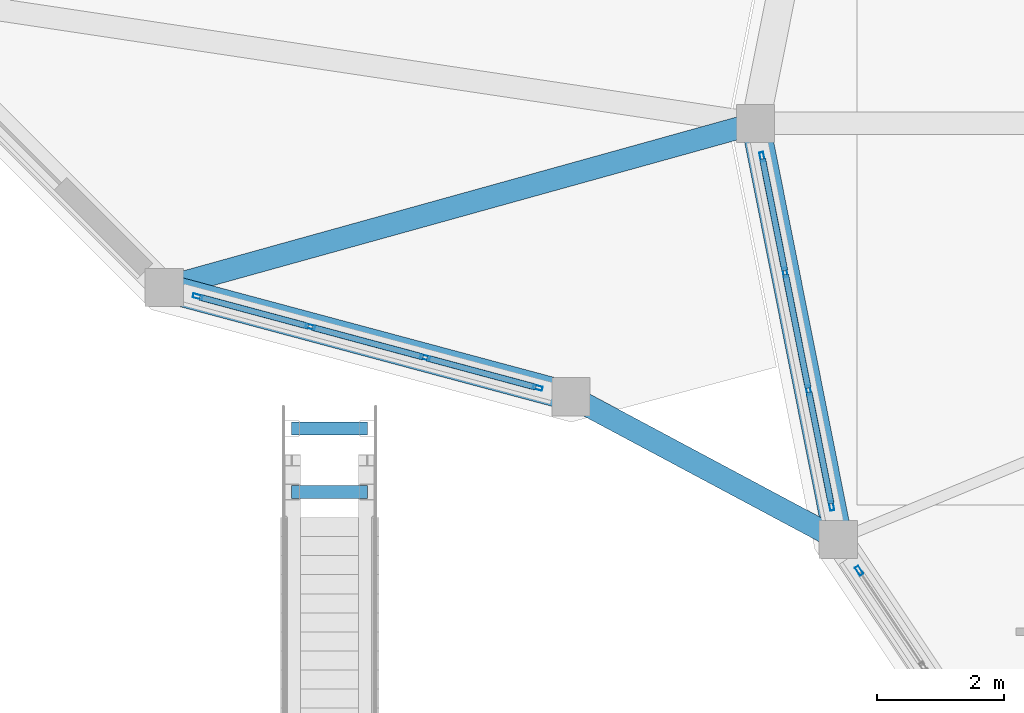
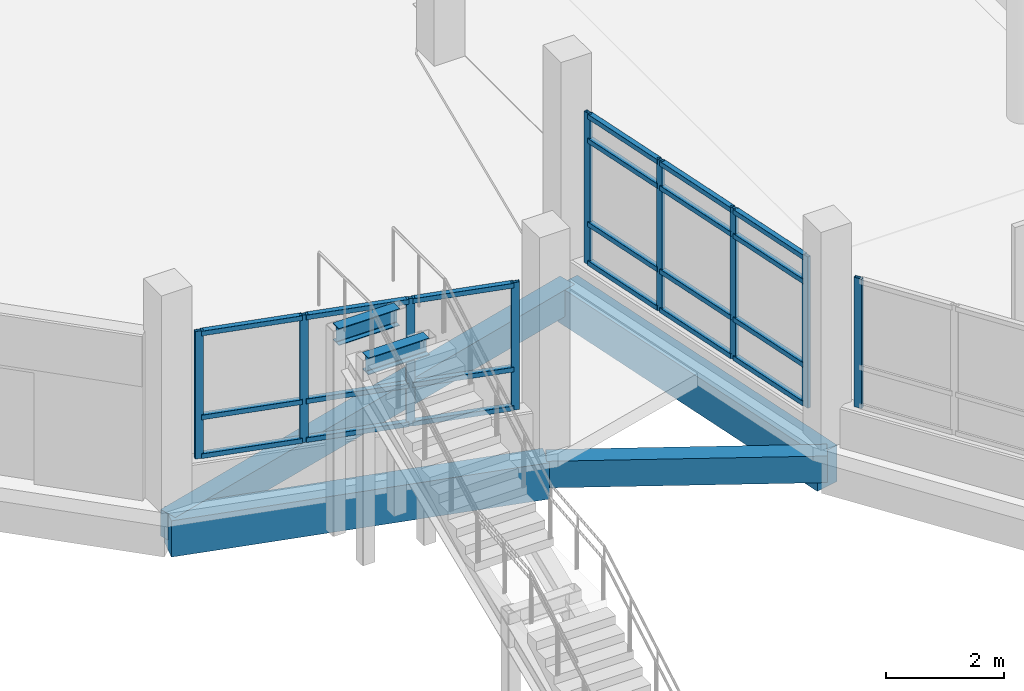
# One storey, part 38 of 129: 30 members, 6 beams, 3 elements without a shape of their own.
"""IFC4 building model written with IfcOpenShell, lengths in metres."""

from ifc_helpers import new_model, si_unit, direction, frame, origin, origin_2d, place, context, subcontext, project, spatial, rectangle, hollow_rectangle, i_section, extrude, material, layer, layer_set, material_profile, profile_set, type_object, element, aggregate, save


model = new_model("IFC4")

# Units and contexts
model_context = context("Model", 3, precision=1e-05, world=origin(), true_north=direction((0.0, 1.0)))
body_context = subcontext(model_context, "Body", "Model", "MODEL_VIEW")
ifc_project = project(units=[si_unit("LENGTHUNIT", "METRE"), si_unit("AREAUNIT", "SQUARE_METRE"), si_unit("VOLUMEUNIT", "CUBIC_METRE"), si_unit("PLANEANGLEUNIT", "RADIAN"), si_unit("MASSUNIT", "GRAM", prefix="KILO")], contexts=[model_context])

# Site, building, storey
site_placement = place(None, origin())
site = spatial("IfcSite", under=ifc_project, at=site_placement, CompositionType="ELEMENT")
building_placement = place(site_placement, origin())
building = spatial("IfcBuilding", under=site, at=building_placement, Name="Vespera Passage Community Centre", CompositionType="ELEMENT")
storey_placement = place(building_placement, origin())
storey = spatial("IfcBuildingStorey", under=building, at=storey_placement, Name="L00", CompositionType="ELEMENT", Elevation=0.0)

# Beams
ifc_material_1 = material(Name="Concrete f'c 35 MPa", Category="concrete")
ifc_material_profile_1 = material_profile(ifc_material_1, rectangle(XDim=0.35009765625, YDim=0.550048828125, at=origin_2d()), Name="RC350X550")
ifc_profile_set_1 = profile_set([ifc_material_profile_1], Name="Concrete f'c 35 MPa")
beam_type_1 = type_object("IfcBeamType", Name="BM-J-350X550", PredefinedType="JOIST", material=ifc_profile_set_1)
beam_1_placement = place(storey_placement, frame((114.60009765625, 22.414794921875, -0.554931640625), z_axis=(0.963466435857, 0.267829100317, 0.0), x_axis=(-0.267829100317, 0.963466435857, 0.0)))
element("IfcBeam", 1, at=beam_1_placement, inside=storey, type_object=beam_type_1, Name="V3A L00 Radial Tie Girder 7", PredefinedType="JOIST", context=body_context, shape_type="SweptSolid", body=[
    extrude(rectangle(XDim=0.35009765625, YDim=0.550048828125, at=origin_2d()), origin(), (0.0, 0.0, 1.0), 9.65234375),
])
beam_2_placement = place(storey_placement, frame((121.0, 20.699951171875, -0.554931640625), z_axis=(0.882090324018, -0.471080311915, 0.0), x_axis=(0.471080311915, 0.882090324018, 0.0)))
element("IfcBeam", 2, at=beam_2_placement, inside=storey, type_object=beam_type_1, Name="V3A L00 Radial Tie Girder 8", PredefinedType="JOIST", context=body_context, shape_type="SweptSolid", body=[
    extrude(rectangle(XDim=0.35009765625, YDim=0.550048828125, at=origin_2d()), origin(), (0.0, 0.0, 1.0), 4.76318359375),
])
ifc_material_2 = material(Name="Concrete f'c 35 MPa", Category="concrete")
ifc_material_profile_2 = material_profile(ifc_material_2, rectangle(XDim=0.449951171875, YDim=0.75, at=origin_2d()), Name="RC450X750")
ifc_profile_set_2 = profile_set([ifc_material_profile_2], Name="Concrete f'c 35 MPa")
beam_type_2 = type_object("IfcBeamType", Name="BM-SP-450X750E", PredefinedType="SPANDREL", material=ifc_profile_set_2)
beam_3_placement = place(storey_placement, frame((123.89990234375, 25.0, -0.655029296875), z_axis=(0.195102743632, -0.980782809509, 0.0), x_axis=(0.980782809509, 0.195102743632, 0.0)))
element("IfcBeam", 3, at=beam_3_placement, inside=storey, type_object=beam_type_2, Name="V3 L00 Spandrel 9", PredefinedType="SPANDREL", context=body_context, shape_type="SweptSolid", body=[
    extrude(rectangle(XDim=0.449951171875, YDim=0.75, at=origin_2d()), origin(), (0.0, 0.0, 1.0), 6.672119140625),
])
beam_4_placement = place(storey_placement, frame((114.60009765625, 22.414794921875, -0.655029296875), z_axis=(0.965926011729, -0.258818353032, 0.0), x_axis=(0.258818353032, 0.965926011729, 0.0)))
element("IfcBeam", 4, at=beam_4_placement, inside=storey, type_object=beam_type_2, Name="V3A L00 Cafe Spandrel 7", PredefinedType="SPANDREL", context=body_context, shape_type="SweptSolid", body=[
    extrude(rectangle(XDim=0.449951171875, YDim=0.75, at=origin_2d()), origin(), (0.0, 0.0, 1.0), 6.625732421875),
])
ifc_material_3 = material(Name="Steel ASTM A992 Grade 50", Category="steel")
ifc_material_profile_3 = material_profile(ifc_material_3, i_section(OverallWidth=0.2041015625, OverallDepth=0.3505859375, WebThickness=0.008544921875, FlangeThickness=0.01513671875, FilletRadius=0.01513671875, at=origin_2d()), Name="W14X48")
ifc_profile_set_3 = profile_set([ifc_material_profile_3], Name="Steel ASTM A992 Grade 50")
beam_type_3 = type_object("IfcBeamType", Name="BM-STR-W14X48E", PredefinedType="BEAM", material=ifc_profile_set_3)
for number, where, z_axis, x_axis, name in (
    (5, (117.794921875, 19.199951171875, 4.06494140625), (-1.0, 0.0, 0.0), (0.0, -1.0, 0.0), "ST-CRT-05 T Header"),
    (6, (117.794921875, 20.199951171875, 4.06494140625), (-1.0, 0.0, 0.0), (0.0, -1.0, 0.0), "ST-CRT-05 TF Header"),
):
    element("IfcBeam", number, at=place(storey_placement, frame(where, z_axis=z_axis, x_axis=x_axis)), inside=storey, type_object=beam_type_3, Name=name, PredefinedType="BEAM", context=body_context, shape_type="SweptSolid", body=[
        extrude(i_section(OverallWidth=0.2041015625, OverallDepth=0.3505859375, WebThickness=0.008544921875, FlangeThickness=0.01513671875, FilletRadius=0.01513671875, at=origin_2d()), origin(), (0.0, 0.0, 1.0), 1.18994140625),
    ])

# Curtain wall, members
ifc_material_4 = material(Name="Anodized aluminium 6063-T6", Category="aluminium")
ifc_layer_1 = layer(ifc_material_4, 0.159912109375)
ifc_layer_set_1 = layer_set([ifc_layer_1], Name="Anodized aluminium 6063-T6")
curtain_wall_type_1 = type_object("IfcCurtainWallType", Name="CW-103E", PredefinedType="NOTDEFINED", material=ifc_layer_set_1)
curtain_wall_1_placement = place(storey_placement, origin())
curtain_wall_1 = element("IfcCurtainWall", 7, at=curtain_wall_1_placement, inside=storey, type_object=curtain_wall_type_1, Name="Dining Drum Ribbon Curtain Wall L00.9", PredefinedType="NOTDEFINED")
ifc_material_5 = material(Name="Anodized aluminium 6063-T6", Category="aluminium")
ifc_material_profile_4 = material_profile(ifc_material_5, hollow_rectangle(XDim=0.06494140625, YDim=0.14990234375, WallThickness=0.00390625, InnerFilletRadius=0.001953125, OuterFilletRadius=0.00390625, at=origin_2d()), Name="ALU150X65X4")
ifc_profile_set_4 = profile_set([ifc_material_profile_4], Name="Anodized aluminium 6063-T6")
member_type_1 = type_object("IfcMemberType", Name="MB-CWM-150E", PredefinedType="MULLION", material=ifc_profile_set_4)
member_1_placement = place(storey_placement, frame((125.0966796875, 18.984130859375, 0.35009765625), z_axis=(0.0, 0.0, 1.0), x_axis=(-0.980783996069, -0.195096778691, 0.0)))
member_1 = element("IfcMember", 8, at=member_1_placement, type_object=member_type_1, Name="CW-103E mullion 1", PredefinedType="MULLION", context=body_context, shape_type="SweptSolid", body=[
    extrude(hollow_rectangle(XDim=0.06494140625, YDim=0.14990234375, WallThickness=0.00390625, InnerFilletRadius=0.001953125, OuterFilletRadius=0.00390625, at=origin_2d()), origin(), (0.0, 0.0, 1.0), 3.125),
])
member_2_placement = place(storey_placement, frame((124.73486328125, 20.802734375, 0.35009765625), z_axis=(0.0, 0.0, 1.0), x_axis=(-0.980783996069, -0.195096778691, 0.0)))
member_2 = element("IfcMember", 9, at=member_2_placement, type_object=member_type_1, Name="CW-103E mullion 2", PredefinedType="MULLION", context=body_context, shape_type="SweptSolid", body=[
    extrude(hollow_rectangle(XDim=0.06494140625, YDim=0.14990234375, WallThickness=0.00390625, InnerFilletRadius=0.001953125, OuterFilletRadius=0.00390625, at=origin_2d()), origin(), (0.0, 0.0, 1.0), 3.125),
])
member_3_placement = place(storey_placement, frame((124.36669921875, 22.6533203125, 0.35009765625), z_axis=(0.0, 0.0, 1.0), x_axis=(-0.980783996069, -0.195096778691, 0.0)))
member_3 = element("IfcMember", 10, at=member_3_placement, type_object=member_type_1, Name="CW-103E mullion 3", PredefinedType="MULLION", context=body_context, shape_type="SweptSolid", body=[
    extrude(hollow_rectangle(XDim=0.06494140625, YDim=0.14990234375, WallThickness=0.00390625, InnerFilletRadius=0.001953125, OuterFilletRadius=0.00390625, at=origin_2d()), origin(), (0.0, 0.0, 1.0), 3.125),
])
member_4_placement = place(storey_placement, frame((124.005126953125, 24.471923828125, 0.35009765625), z_axis=(0.0, 0.0, 1.0), x_axis=(-0.980783996069, -0.195096778691, 0.0)))
member_4 = element("IfcMember", 11, at=member_4_placement, type_object=member_type_1, Name="CW-103E mullion 4", PredefinedType="MULLION", context=body_context, shape_type="SweptSolid", body=[
    extrude(hollow_rectangle(XDim=0.06494140625, YDim=0.14990234375, WallThickness=0.00390625, InnerFilletRadius=0.001953125, OuterFilletRadius=0.00390625, at=origin_2d()), origin(), (0.0, 0.0, 1.0), 3.125),
])

# Curtain wall, member
ifc_material_6 = material(Name="Anodized aluminium 6063-T6", Category="aluminium")
ifc_layer_2 = layer(ifc_material_6, 0.159912109375)
ifc_layer_set_2 = layer_set([ifc_layer_2], Name="Anodized aluminium 6063-T6")
curtain_wall_type_2 = type_object("IfcCurtainWallType", Name="CW-102E", PredefinedType="NOTDEFINED", material=ifc_layer_set_2)
curtain_wall_2_placement = place(storey_placement, origin())
curtain_wall_2 = element("IfcCurtainWall", 12, at=curtain_wall_2_placement, inside=storey, type_object=curtain_wall_type_2, Name="Dining Drum Ribbon Curtain Wall L00.10", PredefinedType="NOTDEFINED")
member_5_placement = place(storey_placement, frame((125.53125, 17.962890625, 0.800048828125), z_axis=(0.0, 0.0, 1.0), x_axis=(-0.831473308708, -0.555564700918, 0.0)))
member_5 = element("IfcMember", 13, at=member_5_placement, type_object=member_type_1, Name="CW-102E mullion 4", PredefinedType="MULLION", context=body_context, shape_type="SweptSolid", body=[
    extrude(hollow_rectangle(XDim=0.06494140625, YDim=0.14990234375, WallThickness=0.00390625, InnerFilletRadius=0.001953125, OuterFilletRadius=0.00390625, at=origin_2d()), origin(), (0.0, 0.0, 1.0), 2.675048828125),
])
aggregate(curtain_wall_2, [member_5])

# Curtain wall, members
ifc_material_7 = material(Name="Anodized aluminium 6063-T6", Category="aluminium")
ifc_layer_3 = layer(ifc_material_7, 0.159912109375)
ifc_layer_set_3 = layer_set([ifc_layer_3], Name="Anodized aluminium 6063-T6")
curtain_wall_type_3 = type_object("IfcCurtainWallType", Name="CW-112E", PredefinedType="NOTDEFINED", material=ifc_layer_set_3)
curtain_wall_3_placement = place(storey_placement, origin())
curtain_wall_3 = element("IfcCurtainWall", 14, at=curtain_wall_3_placement, inside=storey, type_object=curtain_wall_type_3, Name="Passage Espresso Cafe Ribbon Curtain Wall 9", PredefinedType="NOTDEFINED")
member_6_placement = place(storey_placement, frame((120.475341796875, 20.840576171875, 0.780029296875), z_axis=(0.0, 0.0, 1.0), x_axis=(-0.258807433834, -0.965928937444, 0.0)))
member_6 = element("IfcMember", 15, at=member_6_placement, type_object=member_type_1, Name="CW-112E mullion 1", PredefinedType="MULLION", context=body_context, shape_type="SweptSolid", body=[
    extrude(hollow_rectangle(XDim=0.06494140625, YDim=0.14990234375, WallThickness=0.00390625, InnerFilletRadius=0.001953125, OuterFilletRadius=0.00390625, at=origin_2d()), origin(), (0.0, 0.0, 1.0), 2.635009765625),
])
member_7_placement = place(storey_placement, frame((118.7021484375, 21.315673828125, 0.780029296875), z_axis=(0.0, 0.0, 1.0), x_axis=(-0.258807433834, -0.965928937444, 0.0)))
member_7 = element("IfcMember", 16, at=member_7_placement, type_object=member_type_1, Name="CW-112E mullion 2", PredefinedType="MULLION", context=body_context, shape_type="SweptSolid", body=[
    extrude(hollow_rectangle(XDim=0.06494140625, YDim=0.14990234375, WallThickness=0.00390625, InnerFilletRadius=0.001953125, OuterFilletRadius=0.00390625, at=origin_2d()), origin(), (0.0, 0.0, 1.0), 2.635009765625),
])
member_8_placement = place(storey_placement, frame((116.897705078125, 21.79931640625, 0.780029296875), z_axis=(0.0, 0.0, 1.0), x_axis=(-0.258807433834, -0.965928937444, 0.0)))
member_8 = element("IfcMember", 17, at=member_8_placement, type_object=member_type_1, Name="CW-112E mullion 3", PredefinedType="MULLION", context=body_context, shape_type="SweptSolid", body=[
    extrude(hollow_rectangle(XDim=0.06494140625, YDim=0.14990234375, WallThickness=0.00390625, InnerFilletRadius=0.001953125, OuterFilletRadius=0.00390625, at=origin_2d()), origin(), (0.0, 0.0, 1.0), 2.635009765625),
])
member_9_placement = place(storey_placement, frame((115.12451171875, 22.274169921875, 0.780029296875), z_axis=(0.0, 0.0, 1.0), x_axis=(-0.258807433834, -0.965928937444, 0.0)))
member_9 = element("IfcMember", 18, at=member_9_placement, type_object=member_type_1, Name="CW-112E mullion 4", PredefinedType="MULLION", context=body_context, shape_type="SweptSolid", body=[
    extrude(hollow_rectangle(XDim=0.06494140625, YDim=0.14990234375, WallThickness=0.00390625, InnerFilletRadius=0.001953125, OuterFilletRadius=0.00390625, at=origin_2d()), origin(), (0.0, 0.0, 1.0), 2.635009765625),
])

# Member
ifc_material_8 = material(Name="Anodized aluminium 6063-T6", Category="aluminium")
ifc_material_profile_5 = material_profile(ifc_material_8, hollow_rectangle(XDim=0.10009765625, YDim=0.10009765625, WallThickness=0.00390625, InnerFilletRadius=0.001953125, OuterFilletRadius=0.00390625, at=origin_2d()), Name="ALU100X100X4")
ifc_profile_set_5 = profile_set([ifc_material_profile_5], Name="Anodized aluminium 6063-T6")
member_type_2 = type_object("IfcMemberType", Name="MB-CWT-100E", PredefinedType="USERDEFINED", material=ifc_profile_set_5)
member_10_placement = place(storey_placement, frame((125.09033203125, 19.01611328125, 0.39990234375), z_axis=(-0.195118922523, 0.980779590975, 0.0), x_axis=(-0.980779590975, -0.195118922523, 0.0)))
member_10 = element("IfcMember", 19, at=member_10_placement, type_object=member_type_2, Name="CW-103E transom 1.1", ObjectType="TRANSOM", PredefinedType="USERDEFINED", context=body_context, shape_type="SweptSolid", body=[
    extrude(hollow_rectangle(XDim=0.10009765625, YDim=0.10009765625, WallThickness=0.00390625, InnerFilletRadius=0.001953125, OuterFilletRadius=0.00390625, at=origin_2d()), origin(), (0.0, 0.0, 1.0), 1.789306640625),
])

member_11_placement = place(storey_placement, frame((125.09033203125, 19.01611328125, 1.199951171875), z_axis=(-0.195118922523, 0.980779590975, 0.0), x_axis=(-0.980779590975, -0.195118922523, 0.0)))
member_11 = element("IfcMember", 20, at=member_11_placement, type_object=member_type_2, Name="CW-103E transom 1.2", ObjectType="TRANSOM", PredefinedType="USERDEFINED", context=body_context, shape_type="SweptSolid", body=[
    extrude(hollow_rectangle(XDim=0.10009765625, YDim=0.10009765625, WallThickness=0.00390625, InnerFilletRadius=0.001953125, OuterFilletRadius=0.00390625, at=origin_2d()), origin(), (0.0, 0.0, 1.0), 1.789306640625),
])

member_12_placement = place(storey_placement, frame((125.09033203125, 19.01611328125, 2.925048828125), z_axis=(-0.195118922523, 0.980779590975, 0.0), x_axis=(-0.980779590975, -0.195118922523, 0.0)))
member_12 = element("IfcMember", 21, at=member_12_placement, type_object=member_type_2, Name="CW-103E transom 1.3", ObjectType="TRANSOM", PredefinedType="USERDEFINED", context=body_context, shape_type="SweptSolid", body=[
    extrude(hollow_rectangle(XDim=0.10009765625, YDim=0.10009765625, WallThickness=0.00390625, InnerFilletRadius=0.001953125, OuterFilletRadius=0.00390625, at=origin_2d()), origin(), (0.0, 0.0, 1.0), 1.789306640625),
])

member_13_placement = place(storey_placement, frame((125.09033203125, 19.01611328125, 3.425048828125), z_axis=(-0.195118922523, 0.980779590975, 0.0), x_axis=(-0.980779590975, -0.195118922523, 0.0)))
member_13 = element("IfcMember", 22, at=member_13_placement, type_object=member_type_2, Name="CW-103E transom 1.4", ObjectType="TRANSOM", PredefinedType="USERDEFINED", context=body_context, shape_type="SweptSolid", body=[
    extrude(hollow_rectangle(XDim=0.10009765625, YDim=0.10009765625, WallThickness=0.00390625, InnerFilletRadius=0.001953125, OuterFilletRadius=0.00390625, at=origin_2d()), origin(), (0.0, 0.0, 1.0), 1.789306640625),
])

member_14_placement = place(storey_placement, frame((124.728515625, 20.834716796875, 0.39990234375), z_axis=(-0.195136642714, 0.980776065507, 0.0), x_axis=(-0.980776065507, -0.195136642714, 0.0)))
member_14 = element("IfcMember", 23, at=member_14_placement, type_object=member_type_2, Name="CW-103E transom 2.1", ObjectType="TRANSOM", PredefinedType="USERDEFINED", context=body_context, shape_type="SweptSolid", body=[
    extrude(hollow_rectangle(XDim=0.10009765625, YDim=0.10009765625, WallThickness=0.00390625, InnerFilletRadius=0.001953125, OuterFilletRadius=0.00390625, at=origin_2d()), origin(), (0.0, 0.0, 1.0), 1.821533203125),
])

member_15_placement = place(storey_placement, frame((124.728515625, 20.834716796875, 1.199951171875), z_axis=(-0.195136642714, 0.980776065507, 0.0), x_axis=(-0.980776065507, -0.195136642714, 0.0)))
member_15 = element("IfcMember", 24, at=member_15_placement, type_object=member_type_2, Name="CW-103E transom 2.2", ObjectType="TRANSOM", PredefinedType="USERDEFINED", context=body_context, shape_type="SweptSolid", body=[
    extrude(hollow_rectangle(XDim=0.10009765625, YDim=0.10009765625, WallThickness=0.00390625, InnerFilletRadius=0.001953125, OuterFilletRadius=0.00390625, at=origin_2d()), origin(), (0.0, 0.0, 1.0), 1.821533203125),
])

member_16_placement = place(storey_placement, frame((124.728515625, 20.834716796875, 2.925048828125), z_axis=(-0.195136642714, 0.980776065507, 0.0), x_axis=(-0.980776065507, -0.195136642714, 0.0)))
member_16 = element("IfcMember", 25, at=member_16_placement, type_object=member_type_2, Name="CW-103E transom 2.3", ObjectType="TRANSOM", PredefinedType="USERDEFINED", context=body_context, shape_type="SweptSolid", body=[
    extrude(hollow_rectangle(XDim=0.10009765625, YDim=0.10009765625, WallThickness=0.00390625, InnerFilletRadius=0.001953125, OuterFilletRadius=0.00390625, at=origin_2d()), origin(), (0.0, 0.0, 1.0), 1.821533203125),
])

member_17_placement = place(storey_placement, frame((124.728515625, 20.834716796875, 3.425048828125), z_axis=(-0.195136642714, 0.980776065507, 0.0), x_axis=(-0.980776065507, -0.195136642714, 0.0)))
member_17 = element("IfcMember", 26, at=member_17_placement, type_object=member_type_2, Name="CW-103E transom 2.4", ObjectType="TRANSOM", PredefinedType="USERDEFINED", context=body_context, shape_type="SweptSolid", body=[
    extrude(hollow_rectangle(XDim=0.10009765625, YDim=0.10009765625, WallThickness=0.00390625, InnerFilletRadius=0.001953125, OuterFilletRadius=0.00390625, at=origin_2d()), origin(), (0.0, 0.0, 1.0), 1.821533203125),
])

member_18_placement = place(storey_placement, frame((124.3603515625, 22.68505859375, 0.39990234375), z_axis=(-0.194987665203, 0.980805694528, 0.0), x_axis=(-0.980805694528, -0.194987665203, 0.0)))
member_18 = element("IfcMember", 27, at=member_18_placement, type_object=member_type_2, Name="CW-103E transom 3.1", ObjectType="TRANSOM", PredefinedType="USERDEFINED", context=body_context, shape_type="SweptSolid", body=[
    extrude(hollow_rectangle(XDim=0.10009765625, YDim=0.10009765625, WallThickness=0.00390625, InnerFilletRadius=0.001953125, OuterFilletRadius=0.00390625, at=origin_2d()), origin(), (0.0, 0.0, 1.0), 1.789306640625),
])

member_19_placement = place(storey_placement, frame((124.3603515625, 22.68505859375, 1.199951171875), z_axis=(-0.194987665203, 0.980805694528, 0.0), x_axis=(-0.980805694528, -0.194987665203, 0.0)))
member_19 = element("IfcMember", 28, at=member_19_placement, type_object=member_type_2, Name="CW-103E transom 3.2", ObjectType="TRANSOM", PredefinedType="USERDEFINED", context=body_context, shape_type="SweptSolid", body=[
    extrude(hollow_rectangle(XDim=0.10009765625, YDim=0.10009765625, WallThickness=0.00390625, InnerFilletRadius=0.001953125, OuterFilletRadius=0.00390625, at=origin_2d()), origin(), (0.0, 0.0, 1.0), 1.789306640625),
])

member_20_placement = place(storey_placement, frame((124.3603515625, 22.68505859375, 2.925048828125), z_axis=(-0.194987665203, 0.980805694528, 0.0), x_axis=(-0.980805694528, -0.194987665203, 0.0)))
member_20 = element("IfcMember", 29, at=member_20_placement, type_object=member_type_2, Name="CW-103E transom 3.3", ObjectType="TRANSOM", PredefinedType="USERDEFINED", context=body_context, shape_type="SweptSolid", body=[
    extrude(hollow_rectangle(XDim=0.10009765625, YDim=0.10009765625, WallThickness=0.00390625, InnerFilletRadius=0.001953125, OuterFilletRadius=0.00390625, at=origin_2d()), origin(), (0.0, 0.0, 1.0), 1.789306640625),
])

member_21_placement = place(storey_placement, frame((124.3603515625, 22.68505859375, 3.425048828125), z_axis=(-0.194987665203, 0.980805694528, 0.0), x_axis=(-0.980805694528, -0.194987665203, 0.0)))
member_21 = element("IfcMember", 30, at=member_21_placement, type_object=member_type_2, Name="CW-103E transom 3.4", ObjectType="TRANSOM", PredefinedType="USERDEFINED", context=body_context, shape_type="SweptSolid", body=[
    extrude(hollow_rectangle(XDim=0.10009765625, YDim=0.10009765625, WallThickness=0.00390625, InnerFilletRadius=0.001953125, OuterFilletRadius=0.00390625, at=origin_2d()), origin(), (0.0, 0.0, 1.0), 1.789306640625),
])

aggregate(curtain_wall_1, [member_1, member_2, member_3, member_4, member_10, member_11, member_12, member_13, member_14, member_15, member_16, member_17, member_18, member_19, member_20, member_21])

member_22_placement = place(storey_placement, frame((120.444091796875, 20.84912109375, 0.830078125), z_axis=(-0.965934513164, 0.258786623067, 0.0), x_axis=(-0.258786623067, -0.965934513164, 0.0)))
member_22 = element("IfcMember", 31, at=member_22_placement, type_object=member_type_2, Name="CW-112E transom 1.1", ObjectType="TRANSOM", PredefinedType="USERDEFINED", context=body_context, shape_type="SweptSolid", body=[
    extrude(hollow_rectangle(XDim=0.10009765625, YDim=0.10009765625, WallThickness=0.00390625, InnerFilletRadius=0.001953125, OuterFilletRadius=0.00390625, at=origin_2d()), origin(), (0.0, 0.0, 1.0), 1.770751953125),
])

member_23_placement = place(storey_placement, frame((120.444091796875, 20.84912109375, 1.6298828125), z_axis=(-0.965934513164, 0.258786623067, 0.0), x_axis=(-0.258786623067, -0.965934513164, 0.0)))
member_23 = element("IfcMember", 32, at=member_23_placement, type_object=member_type_2, Name="CW-112E transom 1.2", ObjectType="TRANSOM", PredefinedType="USERDEFINED", context=body_context, shape_type="SweptSolid", body=[
    extrude(hollow_rectangle(XDim=0.10009765625, YDim=0.10009765625, WallThickness=0.00390625, InnerFilletRadius=0.001953125, OuterFilletRadius=0.00390625, at=origin_2d()), origin(), (0.0, 0.0, 1.0), 1.770751953125),
])

member_24_placement = place(storey_placement, frame((120.444091796875, 20.84912109375, 3.364990234375), z_axis=(-0.965934513164, 0.258786623067, 0.0), x_axis=(-0.258786623067, -0.965934513164, 0.0)))
member_24 = element("IfcMember", 33, at=member_24_placement, type_object=member_type_2, Name="CW-112E transom 1.3", ObjectType="TRANSOM", PredefinedType="USERDEFINED", context=body_context, shape_type="SweptSolid", body=[
    extrude(hollow_rectangle(XDim=0.10009765625, YDim=0.10009765625, WallThickness=0.00390625, InnerFilletRadius=0.001953125, OuterFilletRadius=0.00390625, at=origin_2d()), origin(), (0.0, 0.0, 1.0), 1.770751953125),
])

member_25_placement = place(storey_placement, frame((118.6708984375, 21.32421875, 0.830078125), z_axis=(-0.965944425699, 0.258749621182, 0.0), x_axis=(-0.258749621182, -0.965944425699, 0.0)))
member_25 = element("IfcMember", 34, at=member_25_placement, type_object=member_type_2, Name="CW-112E transom 2.1", ObjectType="TRANSOM", PredefinedType="USERDEFINED", context=body_context, shape_type="SweptSolid", body=[
    extrude(hollow_rectangle(XDim=0.10009765625, YDim=0.10009765625, WallThickness=0.00390625, InnerFilletRadius=0.001953125, OuterFilletRadius=0.00390625, at=origin_2d()), origin(), (0.0, 0.0, 1.0), 1.80322265625),
])

member_26_placement = place(storey_placement, frame((118.6708984375, 21.32421875, 1.6298828125), z_axis=(-0.965944425699, 0.258749621182, 0.0), x_axis=(-0.258749621182, -0.965944425699, 0.0)))
member_26 = element("IfcMember", 35, at=member_26_placement, type_object=member_type_2, Name="CW-112E transom 2.2", ObjectType="TRANSOM", PredefinedType="USERDEFINED", context=body_context, shape_type="SweptSolid", body=[
    extrude(hollow_rectangle(XDim=0.10009765625, YDim=0.10009765625, WallThickness=0.00390625, InnerFilletRadius=0.001953125, OuterFilletRadius=0.00390625, at=origin_2d()), origin(), (0.0, 0.0, 1.0), 1.80322265625),
])

member_27_placement = place(storey_placement, frame((118.6708984375, 21.32421875, 3.364990234375), z_axis=(-0.965944425699, 0.258749621182, 0.0), x_axis=(-0.258749621182, -0.965944425699, 0.0)))
member_27 = element("IfcMember", 36, at=member_27_placement, type_object=member_type_2, Name="CW-112E transom 2.3", ObjectType="TRANSOM", PredefinedType="USERDEFINED", context=body_context, shape_type="SweptSolid", body=[
    extrude(hollow_rectangle(XDim=0.10009765625, YDim=0.10009765625, WallThickness=0.00390625, InnerFilletRadius=0.001953125, OuterFilletRadius=0.00390625, at=origin_2d()), origin(), (0.0, 0.0, 1.0), 1.80322265625),
])

member_28_placement = place(storey_placement, frame((116.866455078125, 21.8076171875, 0.830078125), z_axis=(-0.965934513164, 0.258786623067, 0.0), x_axis=(-0.258786623067, -0.965934513164, 0.0)))
member_28 = element("IfcMember", 37, at=member_28_placement, type_object=member_type_2, Name="CW-112E transom 3.1", ObjectType="TRANSOM", PredefinedType="USERDEFINED", context=body_context, shape_type="SweptSolid", body=[
    extrude(hollow_rectangle(XDim=0.10009765625, YDim=0.10009765625, WallThickness=0.00390625, InnerFilletRadius=0.001953125, OuterFilletRadius=0.00390625, at=origin_2d()), origin(), (0.0, 0.0, 1.0), 1.770751953125),
])

member_29_placement = place(storey_placement, frame((116.866455078125, 21.8076171875, 1.6298828125), z_axis=(-0.965934513164, 0.258786623067, 0.0), x_axis=(-0.258786623067, -0.965934513164, 0.0)))
member_29 = element("IfcMember", 38, at=member_29_placement, type_object=member_type_2, Name="CW-112E transom 3.2", ObjectType="TRANSOM", PredefinedType="USERDEFINED", context=body_context, shape_type="SweptSolid", body=[
    extrude(hollow_rectangle(XDim=0.10009765625, YDim=0.10009765625, WallThickness=0.00390625, InnerFilletRadius=0.001953125, OuterFilletRadius=0.00390625, at=origin_2d()), origin(), (0.0, 0.0, 1.0), 1.770751953125),
])

member_30_placement = place(storey_placement, frame((116.866455078125, 21.8076171875, 3.364990234375), z_axis=(-0.965934513164, 0.258786623067, 0.0), x_axis=(-0.258786623067, -0.965934513164, 0.0)))
member_30 = element("IfcMember", 39, at=member_30_placement, type_object=member_type_2, Name="CW-112E transom 3.3", ObjectType="TRANSOM", PredefinedType="USERDEFINED", context=body_context, shape_type="SweptSolid", body=[
    extrude(hollow_rectangle(XDim=0.10009765625, YDim=0.10009765625, WallThickness=0.00390625, InnerFilletRadius=0.001953125, OuterFilletRadius=0.00390625, at=origin_2d()), origin(), (0.0, 0.0, 1.0), 1.770751953125),
])

aggregate(curtain_wall_3, [member_6, member_7, member_8, member_9, member_22, member_23, member_24, member_25, member_26, member_27, member_28, member_29, member_30])

save(model, "model.ifc")
